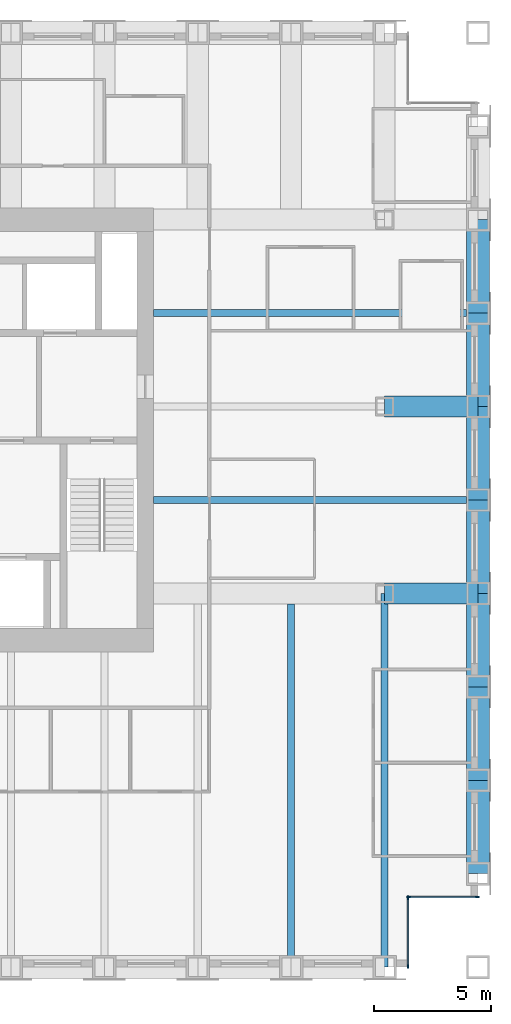
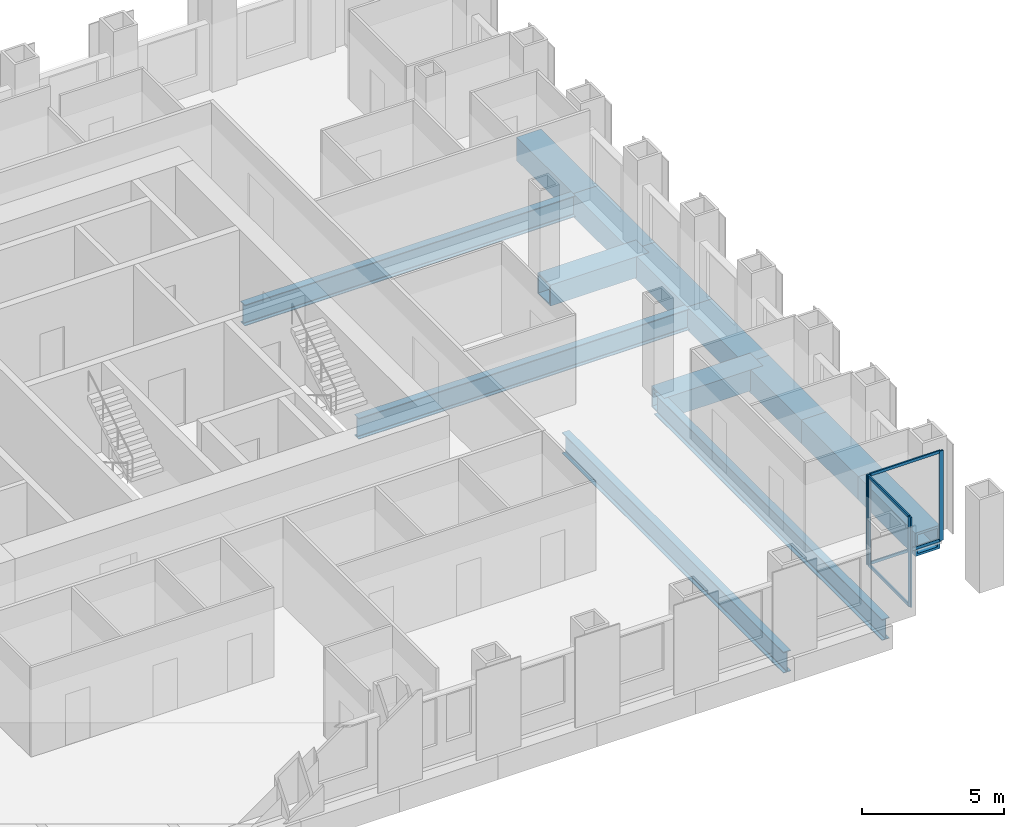
# One storey, part 4 of 13: 13 beams, 8 members, 2 elements without a shape of their own.
"""IFC4 building model written with IfcOpenShell, lengths in metres."""

import ifcopenshell
import ifcopenshell.guid

model = None  # the IFC model being written
_history = None  # IfcOwnerHistory: only IFC2X3 demands one
_inside = {}  # id of a spatial element -> (the spatial element, [elements in it])
_under = {}  # id of a project, library or spatial element -> (it, [spatial elements below it])
_declared = {}  # id of a project -> (the project, [libraries it declares])
_typed = {}  # id of a type object -> (the type object, [elements of that type])
_made_of = {}  # id of a material, layer set ... -> (it, [elements and type objects made of it])


def new_model(schema):
    """Start an empty IFC model of exactly this schema.

    Asked for "IFC4X3", IfcOpenShell would pick the latest addendum, in which some entities
    have other attributes; the version numbers below select the first issue.
    IFC2X3 requires an IfcOwnerHistory on every rooted entity: one is made here for all.
    """
    global model, _history
    if schema == "IFC4X3":
        model = ifcopenshell.file(schema_version=(4, 3, 0, 0))
    else:
        model = ifcopenshell.file(schema=schema)
    _inside.clear()
    _under.clear()
    _declared.clear()
    _typed.clear()
    _made_of.clear()
    _history = None
    if model.schema == "IFC2X3":
        org = make("IfcOrganization", Name="unknown")
        user = make(
            "IfcPersonAndOrganization",
            ThePerson=make("IfcPerson", FamilyName="unknown"),
            TheOrganization=org,
        )
        app = make(
            "IfcApplication",
            ApplicationDeveloper=org,
            Version="unknown",
            ApplicationFullName="unknown",
            ApplicationIdentifier="unknown",
        )
        _history = make(
            "IfcOwnerHistory",
            OwningUser=user,
            OwningApplication=app,
            ChangeAction="ADDED",
            CreationDate=0,
        )
    return model


def make(cls, **values):
    """One entity of the class cls with the attributes given. An attribute that is None is left unset."""
    return model.create_entity(
        cls, **{name: value for name, value in values.items() if value is not None}
    )


def rooted(cls, **values):
    """An entity with a GlobalId (a new one), such as an element, a storey or a relation."""
    return make(cls, GlobalId=ifcopenshell.guid.new(), OwnerHistory=_history, **values)


def si_unit(unit_type, name, prefix=None):
    """IfcSIUnit, for example si_unit("LENGTHUNIT", "METRE", prefix="MILLI")."""
    return make("IfcSIUnit", UnitType=unit_type, Prefix=prefix, Name=name)


def assignment(units):
    """IfcUnitAssignment: the units of a project."""
    return None if units is None else make("IfcUnitAssignment", Units=units)


def point(xyz):
    """IfcCartesianPoint."""
    return None if xyz is None else make("IfcCartesianPoint", Coordinates=xyz)


def direction(xyz):
    """IfcDirection."""
    return None if xyz is None else make("IfcDirection", DirectionRatios=xyz)


def frame(location, z_axis=None, x_axis=None):
    """IfcAxis2Placement3D, a coordinate frame: its origin and axes. An axis left out is left unset."""
    return make(
        "IfcAxis2Placement3D",
        Location=point(location),
        Axis=direction(z_axis),
        RefDirection=direction(x_axis),
    )


def frame_2d(location, x_axis=None):
    """IfcAxis2Placement2D, a coordinate frame in the plane: its origin and x axis."""
    return make(
        "IfcAxis2Placement2D", Location=point(location), RefDirection=direction(x_axis)
    )


def origin():
    """The frame at (0, 0, 0) with its axes left unset."""
    return frame((0.0, 0.0, 0.0))


def origin_2d():
    """The frame at (0, 0) in the plane with its x axis left unset."""
    return frame_2d((0.0, 0.0))


def place(relative_to, where):
    """IfcLocalPlacement: puts the frame where relative to a parent placement (None: the world)."""
    return make(
        "IfcLocalPlacement", PlacementRelTo=relative_to, RelativePlacement=where
    )


def context(
    kind, dimensions, precision=None, world=None, true_north=None, identifier=None
):
    """IfcGeometricRepresentationContext, for example the 3D "Model" context."""
    return make(
        "IfcGeometricRepresentationContext",
        ContextIdentifier=identifier,
        ContextType=kind,
        CoordinateSpaceDimension=dimensions,
        Precision=precision,
        WorldCoordinateSystem=world,
        TrueNorth=true_north,
    )


def subcontext(parent, identifier, kind, view, scale=None):
    """IfcGeometricRepresentationSubContext, for example "Body" below "Model"."""
    return make(
        "IfcGeometricRepresentationSubContext",
        ContextIdentifier=identifier,
        ContextType=kind,
        ParentContext=parent,
        TargetScale=scale,
        TargetView=view,
    )


def project(units=None, contexts=None):
    """IfcProject with its units and contexts."""
    return rooted(
        "IfcProject",
        Name="project",
        RepresentationContexts=contexts,
        UnitsInContext=assignment(units),
    )


def spatial(cls, under=None, at=None, **own):
    """A site, building, storey or space (cls), placed at a placement, below another one or the project."""
    s = rooted(cls, ObjectPlacement=at, **own)
    if under is not None:
        _under.setdefault(under.id(), (under, []))[1].append(s)
    return s


def profile(cls, at=None, kind="AREA", **sizes):
    """A parametric profile (cls). Its sizes go by their IFC names, for example OverallWidth=200.0."""
    return make(cls, ProfileType=kind, Position=at, **sizes)


def rectangle(**sizes):
    """IfcRectangleProfileDef."""
    return profile("IfcRectangleProfileDef", **sizes)


def hollow_rectangle(**sizes):
    """IfcRectangleHollowProfileDef."""
    return profile("IfcRectangleHollowProfileDef", **sizes)


def i_section(**sizes):
    """IfcIShapeProfileDef."""
    return profile("IfcIShapeProfileDef", **sizes)


def extrude(swept, where, along, depth):
    """IfcExtrudedAreaSolid: the profile swept, set in the frame where, extruded along a direction by depth."""
    return make(
        "IfcExtrudedAreaSolid",
        SweptArea=swept,
        Position=where,
        ExtrudedDirection=direction(along),
        Depth=depth,
    )


def shape(context_of_items, identifier, shape_type, items):
    """IfcShapeRepresentation: the items that make up one representation, for example the "Body"."""
    return make(
        "IfcShapeRepresentation",
        ContextOfItems=context_of_items,
        RepresentationIdentifier=identifier,
        RepresentationType=shape_type,
        Items=items,
    )


def material(Name=None, Category=None):
    """IfcMaterial."""
    return make("IfcMaterial", Name=Name, Category=Category)


def material_profile(
    of_material, cross_section, Name=None, Category=None, Priority=None
):
    """IfcMaterialProfile: a cross section and its material."""
    return make(
        "IfcMaterialProfile",
        Name=Name,
        Material=of_material,
        Profile=cross_section,
        Priority=Priority,
        Category=Category,
    )


def profile_set(profiles, Name=None, composite=None):
    """IfcMaterialProfileSet."""
    return make(
        "IfcMaterialProfileSet",
        Name=Name,
        MaterialProfiles=profiles,
        CompositeProfile=composite,
    )


def made_of(thing, what):
    """Note that an element or type object is made of a material, layer set ...; save() writes the relation."""
    if what is not None:
        _made_of.setdefault(what.id(), (what, []))[1].append(thing)
    return thing


def type_object(cls, material=None, **own):
    """A type object (cls), such as IfcWallType, which elements share."""
    return made_of(rooted(cls, **own), material)


def element(
    cls,
    number,
    at=None,
    inside=None,
    cuts=None,
    type_object=None,
    material=None,
    context=None,
    identifier="Body",
    shape_type=None,
    held_by="IfcProductDefinitionShape",
    body=None,
    shapes=None,
    **own,
):
    """One element of the class cls, such as IfcWall. Its Tag is "e" and its number.

    at: its placement. inside: the storey or other place that contains it. cuts: it is an
    opening in that element (IfcRelVoidsElement). A single representation is given by context,
    identifier, shape_type and body (its items); several are given by shapes. held_by: the class
    of the entity that holds the representations. save() writes the other relations.
    """
    e = rooted(cls, Tag="e%d" % number, ObjectPlacement=at, **own)
    if body is not None:
        shapes = [shape(context, identifier, shape_type, body)]
    if shapes is not None:
        e.Representation = make(held_by, Representations=shapes)
    if inside is not None:
        _inside.setdefault(inside.id(), (inside, []))[1].append(e)
    if cuts is not None:
        rooted(
            "IfcRelVoidsElement", RelatingBuildingElement=cuts, RelatedOpeningElement=e
        )
    if type_object is not None:
        _typed.setdefault(type_object.id(), (type_object, []))[1].append(e)
    return made_of(e, material)


def aggregate(whole, parts):
    """IfcRelAggregates: a whole, such as a stair, and the parts it consists of."""
    return rooted("IfcRelAggregates", RelatingObject=whole, RelatedObjects=parts)


def save(model, path):
    """Write the relations noted so far, then the file.

    IfcRelAggregates (storeys below a building ...), IfcRelContainedInSpatialStructure (elements
    in a storey), IfcRelDefinesByType, IfcRelAssociatesMaterial and IfcRelDeclares: one each for
    every whole, place, type object, material and project.
    """
    for whole, parts in _under.values():
        aggregate(whole, parts)
    for where, things in _inside.values():
        rooted(
            "IfcRelContainedInSpatialStructure",
            RelatedElements=things,
            RelatingStructure=where,
        )
    for kind, things in _typed.values():
        rooted("IfcRelDefinesByType", RelatedObjects=things, RelatingType=kind)
    for what, things in _made_of.values():
        rooted("IfcRelAssociatesMaterial", RelatedObjects=things, RelatingMaterial=what)
    for by, libraries in _declared.values():
        rooted("IfcRelDeclares", RelatingContext=by, RelatedDefinitions=libraries)
    model.write(path)


model = new_model("IFC4")

# Units and contexts
model_context = context("Model", 3, precision=1e-05, world=origin(), true_north=direction((0.0, 1.0)))
body_context = subcontext(model_context, "Body", "Model", "MODEL_VIEW")
ifc_project = project(units=[si_unit("LENGTHUNIT", "METRE"), si_unit("AREAUNIT", "SQUARE_METRE"), si_unit("VOLUMEUNIT", "CUBIC_METRE"), si_unit("PLANEANGLEUNIT", "RADIAN"), si_unit("MASSUNIT", "GRAM", prefix="KILO")], contexts=[model_context])

# Site, building, storey
site_placement = place(None, origin())
site = spatial("IfcSite", under=ifc_project, at=site_placement, CompositionType="ELEMENT")
building_placement = place(site_placement, origin())
building = spatial("IfcBuilding", under=site, at=building_placement, Name="Rimbunsela Tower", CompositionType="ELEMENT")
storey_placement = place(building_placement, frame((0.0, 0.0, 258.199951171875)))
storey = spatial("IfcBuildingStorey", under=building, at=storey_placement, Name="L62", CompositionType="ELEMENT", Elevation=258.199951171875)

# Beams
ifc_material_1 = material(Name="Steel BJ 55 (fy 410 MPa)", Category="steel")
ifc_material_profile_1 = material_profile(ifc_material_1, hollow_rectangle(XDim=1.0, YDim=1.0, WallThickness=0.10009765625, at=origin_2d()), Name="BOX 1000x1000x100")
ifc_profile_set_1 = profile_set([ifc_material_profile_1], Name="Steel BJ 55 (fy 410 MPa)")
beam_type_1 = type_object("IfcBeamType", Name="Beam BOX 1000x1000x100", PredefinedType="BEAM", material=ifc_profile_set_1)
for number, where, z_axis, x_axis, name in (
    (1, (50.0, 8.0, -0.64990234375), (0.0, 1.0, 0.0), (-1.0, 0.0, 0.0), "Beam B3 L62"),
    (2, (50.0, 12.0, -0.64990234375), (0.0, 1.0, 0.0), (-1.0, 0.0, 0.0), "Beam B3 L62"),
    (3, (50.0, 16.0, -0.64990234375), (0.0, 1.0, 0.0), (-1.0, 0.0, 0.0), "Beam B3 L62"),
    (4, (50.0, 20.0, -0.64990234375), (0.0, 1.0, 0.0), (-1.0, 0.0, 0.0), "Beam B3 L62"),
    (5, (50.0, 24.0, -0.64990234375), (0.0, 1.0, 0.0), (-1.0, 0.0, 0.0), "Beam B3 L62"),
    (6, (50.0, 28.0, -0.64990234375), (0.0, 1.0, 0.0), (-1.0, 0.0, 0.0), "Beam B3 L62"),
    (7, (50.0, 32.0, -0.64990234375), (0.0, 1.0, 0.0), (-1.0, 0.0, 0.0), "Beam B3 L62"),
):
    element("IfcBeam", number, at=place(storey_placement, frame(where, z_axis=z_axis, x_axis=x_axis)), inside=storey, type_object=beam_type_1, Name=name, PredefinedType="BEAM", context=body_context, shape_type="SweptSolid", body=[
        extrude(hollow_rectangle(XDim=1.0, YDim=1.0, WallThickness=0.10009765625, at=origin_2d()), origin(), (0.0, 0.0, 1.0), 4.0),
    ])
ifc_material_2 = material(Name="Steel BJ 55 (fy 410 MPa)", Category="steel")
ifc_material_profile_2 = material_profile(ifc_material_2, hollow_rectangle(XDim=0.89990234375, YDim=0.89990234375, WallThickness=0.06005859375, at=origin_2d()), Name="BOX 900x900x60")
ifc_profile_set_2 = profile_set([ifc_material_profile_2], Name="Steel BJ 55 (fy 410 MPa)")
beam_type_2 = type_object("IfcBeamType", Name="Beam BOX 900x900x60", PredefinedType="BEAM", material=ifc_profile_set_2)
for number, where, z_axis, x_axis, name in (
    (8, (46.0, 20.0, -0.599853515625), (1.0, 0.0, 0.0), (0.0, 1.0, 0.0), "Beam B1 L62"),
    (9, (46.0, 28.0, -0.599853515625), (1.0, 0.0, 0.0), (0.0, 1.0, 0.0), "Beam B1 L62"),
):
    element("IfcBeam", number, at=place(storey_placement, frame(where, z_axis=z_axis, x_axis=x_axis)), inside=storey, type_object=beam_type_2, Name=name, PredefinedType="BEAM", context=body_context, shape_type="SweptSolid", body=[
        extrude(hollow_rectangle(XDim=0.89990234375, YDim=0.89990234375, WallThickness=0.06005859375, at=origin_2d()), origin(), (0.0, 0.0, 1.0), 4.0),
    ])
ifc_material_3 = material(Name="Steel BJ 55 (fy 410 MPa)", Category="steel")
ifc_material_profile_3 = material_profile(ifc_material_3, i_section(OverallWidth=0.300048828125, OverallDepth=0.89990234375, WebThickness=0.01611328125, FlangeThickness=0.028076171875, FilletRadius=0.028076171875, at=origin_2d()), Name="H 900x300x16x28")
ifc_profile_set_3 = profile_set([ifc_material_profile_3], Name="Steel BJ 55 (fy 410 MPa)")
beam_type_3 = type_object("IfcBeamType", Name="Beam H 900x300x16x28", PredefinedType="BEAM", material=ifc_profile_set_3)
for number, where, z_axis, x_axis, name in (
    (10, (36.10009765625, 24.0, -0.599853515625), (1.0, 0.0, 0.0), (0.0, 1.0, 0.0), "Beam B2 L62"),
    (11, (36.10009765625, 32.0, -0.599853515625), (1.0, 0.0, 0.0), (0.0, 1.0, 0.0), "Beam B2 L62"),
):
    element("IfcBeam", number, at=place(storey_placement, frame(where, z_axis=z_axis, x_axis=x_axis)), inside=storey, type_object=beam_type_3, Name=name, PredefinedType="BEAM", context=body_context, shape_type="SweptSolid", body=[
        extrude(i_section(OverallWidth=0.300048828125, OverallDepth=0.89990234375, WebThickness=0.01611328125, FlangeThickness=0.028076171875, FilletRadius=0.028076171875, at=origin_2d()), origin(), (0.0, 0.0, 1.0), 13.89990234375),
    ])
beam_1_placement = place(storey_placement, frame((42.0, 4.0, -0.599853515625), z_axis=(0.0, 1.0, 0.0), x_axis=(-1.0, 0.0, 0.0)))
element("IfcBeam", 12, at=beam_1_placement, inside=storey, type_object=beam_type_3, Name="Beam B2 L62", PredefinedType="BEAM", context=body_context, shape_type="SweptSolid", body=[
    extrude(i_section(OverallWidth=0.300048828125, OverallDepth=0.89990234375, WebThickness=0.01611328125, FlangeThickness=0.028076171875, FilletRadius=0.028076171875, at=origin_2d()), origin(), (0.0, 0.0, 1.0), 15.550048828125),
])
beam_2_placement = place(storey_placement, frame((46.0, 4.0, -0.599853515625), z_axis=(0.0, 1.0, 0.0), x_axis=(-1.0, 0.0, 0.0)))
element("IfcBeam", 13, at=beam_2_placement, inside=storey, type_object=beam_type_3, Name="Beam B2 L62", PredefinedType="BEAM", context=body_context, shape_type="SweptSolid", body=[
    extrude(i_section(OverallWidth=0.300048828125, OverallDepth=0.89990234375, WebThickness=0.01611328125, FlangeThickness=0.028076171875, FilletRadius=0.028076171875, at=origin_2d()), origin(), (0.0, 0.0, 1.0), 16.0),
])

# Curtain wall, members
ifc_material_4 = material(Name="Aluminium curtain wall", Category="aluminium")
curtain_wall_type = type_object("IfcCurtainWallType", Name="Corner glazing", PredefinedType="USERDEFINED", material=ifc_material_4)
curtain_wall_1_placement = place(storey_placement, origin())
curtain_wall_1 = element("IfcCurtainWall", 14, at=curtain_wall_1_placement, inside=storey, type_object=curtain_wall_type, Name="Corner glazing L62", ObjectType="CORNER GLAZING", PredefinedType="USERDEFINED")
ifc_material_5 = material(Name="Aluminium mullion", Category="aluminium")
ifc_material_profile_4 = material_profile(ifc_material_5, rectangle(XDim=0.06005859375, YDim=0.159912109375, at=origin_2d()), Name="Mullion 60x160")
ifc_profile_set_4 = profile_set([ifc_material_profile_4], Name="Aluminium mullion")
member_type_1 = type_object("IfcMemberType", Name="Curtain wall mullion 60x160", PredefinedType="MULLION", material=ifc_profile_set_4)
member_1_placement = place(storey_placement, frame((47.0, 4.030029296875, 0.0), z_axis=(0.0, 0.0, 1.0), x_axis=(-1.0, 0.0, 0.0)))
member_1 = element("IfcMember", 15, at=member_1_placement, type_object=member_type_1, Name="CW5 mullion 1", PredefinedType="MULLION", context=body_context, shape_type="SweptSolid", body=[
    extrude(rectangle(XDim=0.06005859375, YDim=0.159912109375, at=origin_2d()), origin(), (0.0, 0.0, 1.0), 3.85009765625),
])
member_2_placement = place(storey_placement, frame((47.0, 6.969970703125, 0.0), z_axis=(0.0, 0.0, 1.0), x_axis=(-1.0, 0.0, 0.0)))
member_2 = element("IfcMember", 16, at=member_2_placement, type_object=member_type_1, Name="CW5 mullion 2", PredefinedType="MULLION", context=body_context, shape_type="SweptSolid", body=[
    extrude(rectangle(XDim=0.06005859375, YDim=0.159912109375, at=origin_2d()), origin(), (0.0, 0.0, 1.0), 3.85009765625),
])

curtain_wall_2_placement = place(storey_placement, origin())
curtain_wall_2 = element("IfcCurtainWall", 17, at=curtain_wall_2_placement, inside=storey, type_object=curtain_wall_type, Name="Corner glazing L62", ObjectType="CORNER GLAZING", PredefinedType="USERDEFINED")
member_3_placement = place(storey_placement, frame((47.030029296875, 7.0, 0.0), z_axis=(0.0, 0.0, 1.0), x_axis=(0.0, 1.0, 0.0)))
member_3 = element("IfcMember", 18, at=member_3_placement, type_object=member_type_1, Name="CW5 mullion 1", PredefinedType="MULLION", context=body_context, shape_type="SweptSolid", body=[
    extrude(rectangle(XDim=0.06005859375, YDim=0.159912109375, at=origin_2d()), origin(), (0.0, 0.0, 1.0), 3.85009765625),
])
member_4_placement = place(storey_placement, frame((49.969970703125, 7.0, 0.0), z_axis=(0.0, 0.0, 1.0), x_axis=(0.0, 1.0, 0.0)))
member_4 = element("IfcMember", 19, at=member_4_placement, type_object=member_type_1, Name="CW5 mullion 2", PredefinedType="MULLION", context=body_context, shape_type="SweptSolid", body=[
    extrude(rectangle(XDim=0.06005859375, YDim=0.159912109375, at=origin_2d()), origin(), (0.0, 0.0, 1.0), 3.85009765625),
])

# Member
ifc_material_6 = material(Name="Aluminium transom", Category="aluminium")
ifc_material_profile_5 = material_profile(ifc_material_6, rectangle(XDim=0.06005859375, YDim=0.1201171875, at=origin_2d()), Name="Transom 60x120")
ifc_profile_set_5 = profile_set([ifc_material_profile_5], Name="Aluminium transom")
member_type_2 = type_object("IfcMemberType", Name="Curtain wall transom 60x120", PredefinedType="USERDEFINED", material=ifc_profile_set_5)
member_5_placement = place(storey_placement, frame((47.0, 4.06005859375, 0.030029296875), z_axis=(0.0, 1.0, 0.0), x_axis=(-1.0, 0.0, 0.0)))
member_5 = element("IfcMember", 20, at=member_5_placement, type_object=member_type_2, Name="CW5 transom 1.1", ObjectType="TRANSOM", PredefinedType="USERDEFINED", context=body_context, shape_type="SweptSolid", body=[
    extrude(rectangle(XDim=0.06005859375, YDim=0.1201171875, at=origin_2d()), origin(), (0.0, 0.0, 1.0), 2.8798828125),
])

member_6_placement = place(storey_placement, frame((47.0, 4.06005859375, 3.820068359375), z_axis=(0.0, 1.0, 0.0), x_axis=(-1.0, 0.0, 0.0)))
member_6 = element("IfcMember", 21, at=member_6_placement, type_object=member_type_2, Name="CW5 transom 1.2", ObjectType="TRANSOM", PredefinedType="USERDEFINED", context=body_context, shape_type="SweptSolid", body=[
    extrude(rectangle(XDim=0.06005859375, YDim=0.1201171875, at=origin_2d()), origin(), (0.0, 0.0, 1.0), 2.8798828125),
])

aggregate(curtain_wall_1, [member_1, member_2, member_5, member_6])

member_7_placement = place(storey_placement, frame((47.06005859375, 7.0, 0.030029296875), z_axis=(1.0, 0.0, 0.0), x_axis=(0.0, 1.0, 0.0)))
member_7 = element("IfcMember", 22, at=member_7_placement, type_object=member_type_2, Name="CW5 transom 1.1", ObjectType="TRANSOM", PredefinedType="USERDEFINED", context=body_context, shape_type="SweptSolid", body=[
    extrude(rectangle(XDim=0.06005859375, YDim=0.1201171875, at=origin_2d()), origin(), (0.0, 0.0, 1.0), 2.8798828125),
])

member_8_placement = place(storey_placement, frame((47.06005859375, 7.0, 3.820068359375), z_axis=(1.0, 0.0, 0.0), x_axis=(0.0, 1.0, 0.0)))
member_8 = element("IfcMember", 23, at=member_8_placement, type_object=member_type_2, Name="CW5 transom 1.2", ObjectType="TRANSOM", PredefinedType="USERDEFINED", context=body_context, shape_type="SweptSolid", body=[
    extrude(rectangle(XDim=0.06005859375, YDim=0.1201171875, at=origin_2d()), origin(), (0.0, 0.0, 1.0), 2.8798828125),
])

aggregate(curtain_wall_2, [member_3, member_4, member_7, member_8])

save(model, "model.ifc")
